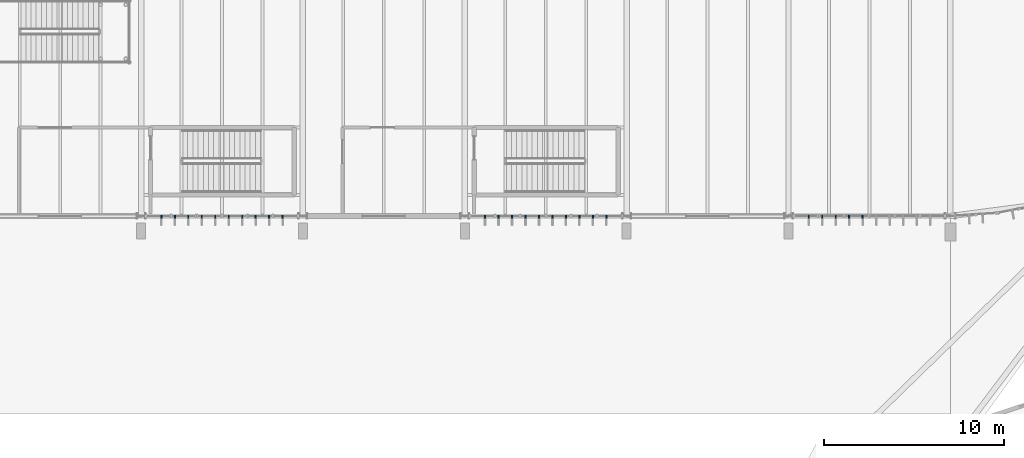
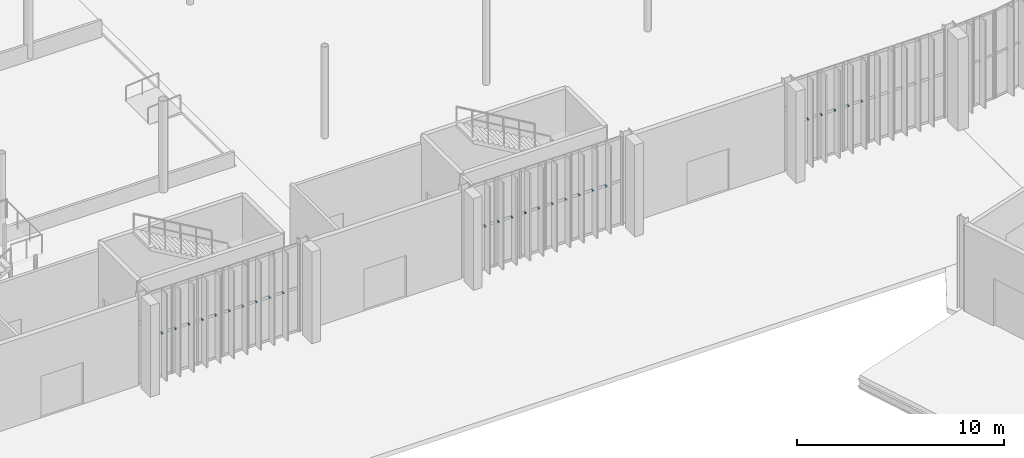
# One storey, part 135 of 158: 25 discrete accessories.
"""IFC4 building model written with IfcOpenShell, lengths in metres."""

from ifc_helpers import new_model, si_unit, derived_unit, direction, frame, origin, origin_2d, place, context, subcontext, project, spatial, rectangle, extrude, material, type_object, element, save


model = new_model("IFC4")

# Units and contexts
model_context = context("Model", 3, precision=1e-05, world=origin(), true_north=direction((0.0, 1.0)))
body_context = subcontext(model_context, "Body", "Model", "MODEL_VIEW")
ifc_project = project(units=[si_unit("LENGTHUNIT", "METRE"), si_unit("AREAUNIT", "SQUARE_METRE"), si_unit("VOLUMEUNIT", "CUBIC_METRE"), si_unit("PLANEANGLEUNIT", "RADIAN"), si_unit("MASSUNIT", "GRAM", prefix="KILO"), si_unit("THERMODYNAMICTEMPERATUREUNIT", "KELVIN"), si_unit("TIMEUNIT", "SECOND"), derived_unit("THERMALTRANSMITTANCEUNIT", [(si_unit("MASSUNIT", "GRAM", prefix="KILO"), 1), (si_unit("THERMODYNAMICTEMPERATUREUNIT", "KELVIN"), -1), (si_unit("TIMEUNIT", "SECOND"), -3)])], contexts=[model_context])

# Site, building, storey
site_placement = place(None, origin())
site = spatial("IfcSite", under=ifc_project, at=site_placement, CompositionType="ELEMENT")
building_placement = place(site_placement, origin())
building = spatial("IfcBuilding", under=site, at=building_placement, Name="Cambertide Market Hall", CompositionType="ELEMENT")
storey_placement = place(building_placement, origin())
storey = spatial("IfcBuildingStorey", under=building, at=storey_placement, Name="L01", CompositionType="ELEMENT", Elevation=0.0)

# Discrete accessories
ifc_material = material(Name="Stainless Steel Grade 316", Category="metal")
discrete_accessory_type = type_object("IfcDiscreteAccessoryType", Name="Stainless Fin Outrigger Tie Bracket", PredefinedType="BRACKET", material=ifc_material)
for number, where, z_axis, x_axis, name in (
    (1, (67.875, 51.9599609375, 2.5400390625), (0.0, 0.0, 1.0), (-1.0, 0.0, 0.0), "CW-V1S-L01-3 Fin Tie Bracket 1"),
    (2, (67.125, 51.9599609375, 2.5400390625), (0.0, 0.0, 1.0), (-1.0, 0.0, 0.0), "CW-V1S-L01-3 Fin Tie Bracket 2"),
    (3, (66.375, 51.9599609375, 2.5400390625), (0.0, 0.0, 1.0), (-1.0, 0.0, 0.0), "CW-V1S-L01-3 Fin Tie Bracket 3"),
    (4, (65.625, 51.9599609375, 2.5400390625), (0.0, 0.0, 1.0), (-1.0, 0.0, 0.0), "CW-V1S-L01-3 Fin Tie Bracket 4"),
    (5, (64.875, 51.9599609375, 2.5400390625), (0.0, 0.0, 1.0), (-1.0, 0.0, 0.0), "CW-V1S-L01-3 Fin Tie Bracket 5"),
    (6, (64.125, 51.9599609375, 2.5400390625), (0.0, 0.0, 1.0), (-1.0, 0.0, 0.0), "CW-V1S-L01-3 Fin Tie Bracket 6"),
    (7, (63.375, 51.9599609375, 2.5400390625), (0.0, 0.0, 1.0), (-1.0, 0.0, 0.0), "CW-V1S-L01-3 Fin Tie Bracket 7"),
    (8, (62.625, 51.9599609375, 2.5400390625), (0.0, 0.0, 1.0), (-1.0, 0.0, 0.0), "CW-V1S-L01-3 Fin Tie Bracket 8"),
    (9, (61.875, 51.9599609375, 2.5400390625), (0.0, 0.0, 1.0), (-1.0, 0.0, 0.0), "CW-V1S-L01-3 Fin Tie Bracket 9"),
    (10, (61.125, 51.9599609375, 2.5400390625), (0.0, 0.0, 1.0), (-1.0, 0.0, 0.0), "CW-V1S-L01-3 Fin Tie Bracket 10"),
    (11, (85.875, 51.9599609375, 2.5400390625), (0.0, 0.0, 1.0), (-1.0, 0.0, 0.0), "CW-V1S-L01-5 Fin Tie Bracket 1"),
    (12, (85.125, 51.9599609375, 2.5400390625), (0.0, 0.0, 1.0), (-1.0, 0.0, 0.0), "CW-V1S-L01-5 Fin Tie Bracket 2"),
    (13, (84.375, 51.9599609375, 2.5400390625), (0.0, 0.0, 1.0), (-1.0, 0.0, 0.0), "CW-V1S-L01-5 Fin Tie Bracket 3"),
    (14, (83.625, 51.9599609375, 2.5400390625), (0.0, 0.0, 1.0), (-1.0, 0.0, 0.0), "CW-V1S-L01-5 Fin Tie Bracket 4"),
    (15, (82.875, 51.9599609375, 2.5400390625), (0.0, 0.0, 1.0), (-1.0, 0.0, 0.0), "CW-V1S-L01-5 Fin Tie Bracket 5"),
    (16, (82.125, 51.9599609375, 2.5400390625), (0.0, 0.0, 1.0), (-1.0, 0.0, 0.0), "CW-V1S-L01-5 Fin Tie Bracket 6"),
    (17, (81.375, 51.9599609375, 2.5400390625), (0.0, 0.0, 1.0), (-1.0, 0.0, 0.0), "CW-V1S-L01-5 Fin Tie Bracket 7"),
    (18, (80.625, 51.9599609375, 2.5400390625), (0.0, 0.0, 1.0), (-1.0, 0.0, 0.0), "CW-V1S-L01-5 Fin Tie Bracket 8"),
    (19, (79.875, 51.9599609375, 2.5400390625), (0.0, 0.0, 1.0), (-1.0, 0.0, 0.0), "CW-V1S-L01-5 Fin Tie Bracket 9"),
    (20, (79.125, 51.9599609375, 2.5400390625), (0.0, 0.0, 1.0), (-1.0, 0.0, 0.0), "CW-V1S-L01-5 Fin Tie Bracket 10"),
    (21, (100.125, 51.9599609375, 2.5400390625), (0.0, 0.0, 1.0), (-1.0, 0.0, 0.0), "CW-V1S-L01-7 Fin Tie Bracket 6"),
    (22, (99.375, 51.9599609375, 2.5400390625), (0.0, 0.0, 1.0), (-1.0, 0.0, 0.0), "CW-V1S-L01-7 Fin Tie Bracket 7"),
    (23, (98.625, 51.9599609375, 2.5400390625), (0.0, 0.0, 1.0), (-1.0, 0.0, 0.0), "CW-V1S-L01-7 Fin Tie Bracket 8"),
    (24, (97.875, 51.9599609375, 2.5400390625), (0.0, 0.0, 1.0), (-1.0, 0.0, 0.0), "CW-V1S-L01-7 Fin Tie Bracket 9"),
    (25, (97.125, 51.9599609375, 2.5400390625), (0.0, 0.0, 1.0), (-1.0, 0.0, 0.0), "CW-V1S-L01-7 Fin Tie Bracket 10"),
):
    element("IfcDiscreteAccessory", number, at=place(storey_placement, frame(where, z_axis=z_axis, x_axis=x_axis)), inside=storey, type_object=discrete_accessory_type, Name=name, PredefinedType="BRACKET", context=body_context, shape_type="SweptSolid", body=[
        extrude(rectangle(XDim=0.080078125, YDim=0.159912109375, at=origin_2d()), origin(), (0.0, 0.0, 1.0), 0.080078125),
    ])

save(model, "model.ifc")
